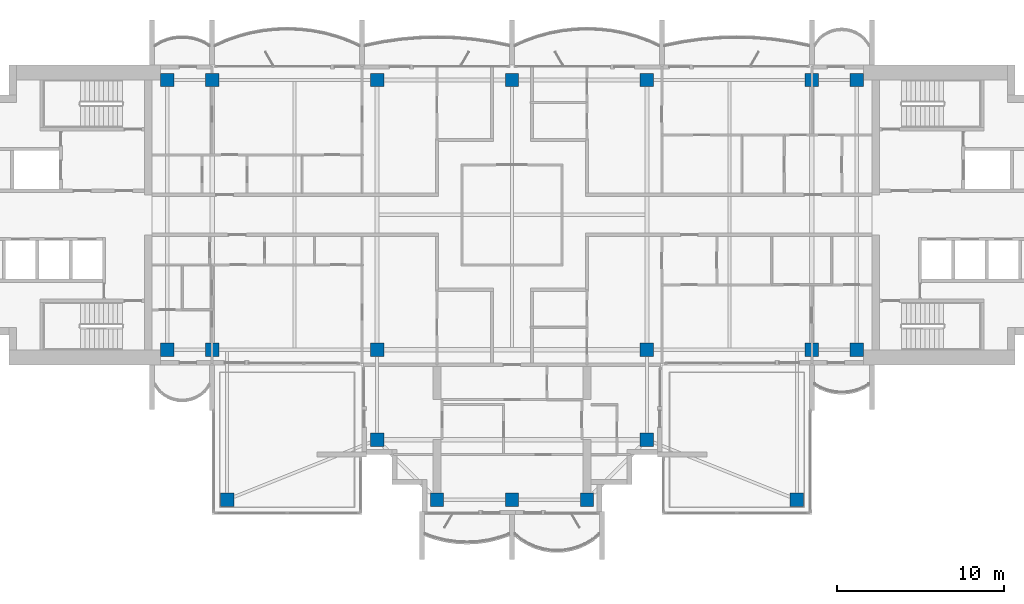
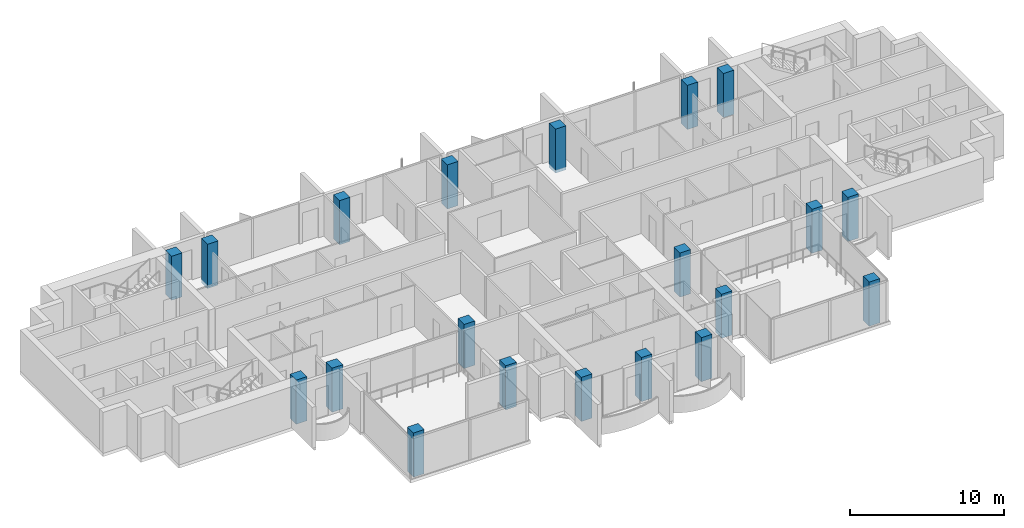
# One storey, part 1 of 16: 20 columns.
"""IFC4 building model written with IfcOpenShell, lengths in metres."""

from ifc_helpers import new_model, si_unit, direction, frame, origin, origin_2d, place, context, subcontext, project, spatial, rectangle, extrude, material, material_profile, profile_set, type_object, element, save


model = new_model("IFC4")

# Units and contexts
model_context = context("Model", 3, precision=1e-05, world=origin(), true_north=direction((0.0, 1.0)))
body_context = subcontext(model_context, "Body", "Model", "MODEL_VIEW")
ifc_project = project(units=[si_unit("LENGTHUNIT", "METRE"), si_unit("AREAUNIT", "SQUARE_METRE"), si_unit("VOLUMEUNIT", "CUBIC_METRE"), si_unit("PLANEANGLEUNIT", "RADIAN"), si_unit("MASSUNIT", "GRAM", prefix="KILO")], contexts=[model_context])

# Site, building, storey
site_placement = place(None, origin())
site = spatial("IfcSite", under=ifc_project, at=site_placement, CompositionType="ELEMENT")
building_placement = place(site_placement, origin())
building = spatial("IfcBuilding", under=site, at=building_placement, Name="Perihelion Cross Residences", CompositionType="ELEMENT")
storey_placement = place(building_placement, frame((0.0, 0.0, 267.5)))
storey = spatial("IfcBuildingStorey", under=building, at=storey_placement, Name="L68", CompositionType="ELEMENT", Elevation=267.5)

# Columns
ifc_material = material(Name="Concrete C50/60", Category="concrete")
ifc_material_profile = material_profile(ifc_material, rectangle(XDim=0.800048828125, YDim=0.800048828125, at=origin_2d()), Name="RC 800x800")
ifc_profile_set = profile_set([ifc_material_profile], Name="Concrete C50/60")
column_type = type_object("IfcColumnType", Name="Reinforced concrete column 800x800 C50/60", PredefinedType="COLUMN", material=ifc_profile_set)
for number, where, z_axis, x_axis, name in (
    (1, (-20.699951171875, -8.10009765625, -0.25), (0.0, 0.0, 1.0), (1.0, 0.0, 0.0), "Column C017 L68 no. 1"),
    (2, (-20.699951171875, 8.10009765625, -0.25), (0.0, 0.0, 1.0), (1.0, 0.0, 0.0), "Column C010 L68 no. 1"),
    (3, (-18.0, -8.10009765625, -0.25), (0.0, 0.0, 1.0), (1.0, 0.0, 0.0), "Column C018 L68 no. 1"),
    (4, (-18.0, 8.10009765625, -0.25), (0.0, 0.0, 1.0), (1.0, 0.0, 0.0), "Column C011 L68 no. 1"),
    (5, (-8.10009765625, -13.5, -0.25), (0.0, 0.0, 1.0), (1.0, 0.0, 0.0), "Column C025 L68 no. 1"),
    (6, (-8.10009765625, -8.10009765625, -0.25), (0.0, 0.0, 1.0), (1.0, 0.0, 0.0), "Column C019 L68 no. 1"),
    (7, (-8.10009765625, 8.10009765625, -0.25), (0.0, 0.0, 1.0), (1.0, 0.0, 0.0), "Column C012 L68 no. 1"),
    (8, (-4.5, -17.10009765625, -0.25), (0.0, 0.0, 1.0), (1.0, 0.0, 0.0), "Column C032 L68 no. 1"),
    (9, (0.0, -17.10009765625, -0.25), (0.0, 0.0, 1.0), (1.0, 0.0, 0.0), "Column C033 L68 no. 1"),
    (10, (0.0, 8.10009765625, -0.25), (0.0, 0.0, 1.0), (1.0, 0.0, 0.0), "Column C013 L68 no. 1"),
    (11, (4.5, -17.10009765625, -0.25), (0.0, 0.0, 1.0), (1.0, 0.0, 0.0), "Column C034 L68 no. 1"),
    (12, (8.10009765625, -13.5, -0.25), (0.0, 0.0, 1.0), (1.0, 0.0, 0.0), "Column C029 L68 no. 1"),
    (13, (8.10009765625, -8.10009765625, -0.25), (0.0, 0.0, 1.0), (1.0, 0.0, 0.0), "Column C020 L68 no. 1"),
    (14, (8.10009765625, 8.10009765625, -0.25), (0.0, 0.0, 1.0), (1.0, 0.0, 0.0), "Column C014 L68 no. 1"),
    (15, (18.0, -8.10009765625, -0.25), (0.0, 0.0, 1.0), (1.0, 0.0, 0.0), "Column C021 L68 no. 1"),
    (16, (18.0, 8.10009765625, -0.25), (0.0, 0.0, 1.0), (1.0, 0.0, 0.0), "Column C015 L68 no. 1"),
    (17, (20.699951171875, -8.10009765625, -0.25), (0.0, 0.0, 1.0), (1.0, 0.0, 0.0), "Column C022 L68 no. 1"),
    (18, (20.699951171875, 8.10009765625, -0.25), (0.0, 0.0, 1.0), (1.0, 0.0, 0.0), "Column C016 L68 no. 1"),
    (19, (-17.10009765625, -17.10009765625, -0.25), (0.0, 0.0, 1.0), (1.0, 0.0, 0.0), "Column C030 L68 no. 1"),
    (20, (17.10009765625, -17.10009765625, -0.25), (0.0, 0.0, 1.0), (1.0, 0.0, 0.0), "Column C036 L68 no. 1"),
):
    element("IfcColumn", number, at=place(storey_placement, frame(where, z_axis=z_axis, x_axis=x_axis)), inside=storey, type_object=column_type, Name=name, PredefinedType="COLUMN", context=body_context, shape_type="SweptSolid", body=[
        extrude(rectangle(XDim=0.800048828125, YDim=0.800048828125, at=origin_2d()), origin(), (0.0, 0.0, 1.0), 3.5),
    ])

save(model, "model.ifc")
